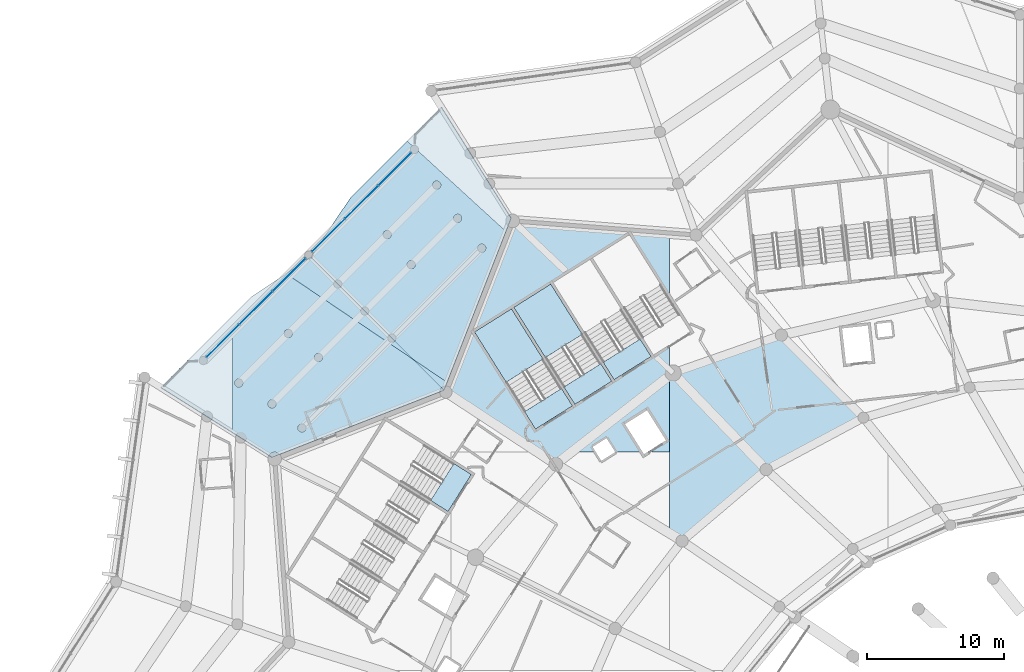
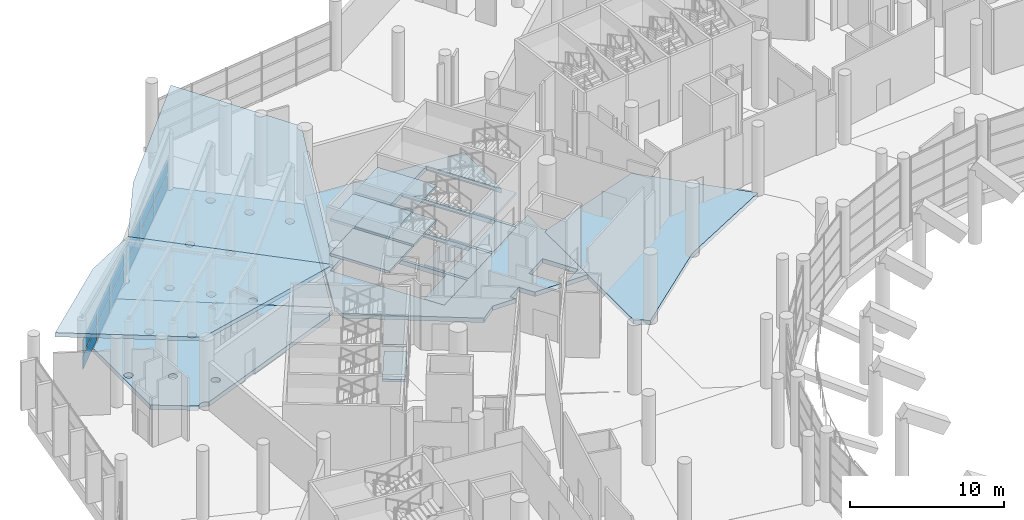
# One storey, part 142 of 271: 18 slabs, 12 plates, 6 elements without a shape of their own.
"""IFC4 building model written with IfcOpenShell, lengths in metres."""

from ifc_helpers import new_model, si_unit, direction, frame, origin, origin_2d, place, context, subcontext, project, spatial, polyline, rectangle, outline, extrude, material, layer, layer_set, type_object, element, aggregate, save


model = new_model("IFC4")

# Units and contexts
model_context = context("Model", 3, precision=1e-05, world=origin(), true_north=direction((0.0, 1.0)))
body_context = subcontext(model_context, "Body", "Model", "MODEL_VIEW")
ifc_project = project(units=[si_unit("LENGTHUNIT", "METRE"), si_unit("AREAUNIT", "SQUARE_METRE"), si_unit("VOLUMEUNIT", "CUBIC_METRE"), si_unit("PLANEANGLEUNIT", "RADIAN"), si_unit("MASSUNIT", "GRAM", prefix="KILO")], contexts=[model_context])

# Site, building, storey
site_placement = place(None, origin())
site = spatial("IfcSite", under=ifc_project, at=site_placement, CompositionType="ELEMENT")
building_placement = place(site_placement, origin())
building = spatial("IfcBuilding", under=site, at=building_placement, Name="Meseta Stadium", CompositionType="ELEMENT")
storey_placement = place(building_placement, frame((0.0, 0.0, 6.5)))
storey = spatial("IfcBuildingStorey", under=building, at=storey_placement, Name="L01", CompositionType="ELEMENT", Elevation=6.5)

# Slabs
ifc_material_1 = material(Name="Concrete C40/50", Category="concrete")
ifc_layer_1 = layer(ifc_material_1, 0.35009765625)
ifc_layer_set_1 = layer_set([ifc_layer_1], Name="Floor slab 350")
slab_type_1 = type_object("IfcSlabType", Name="Floor slab 350", PredefinedType="FLOOR", material=ifc_layer_set_1)
slab_1_placement = place(storey_placement, frame((0.0, 0.0, -0.35009765625)))
element("IfcSlab", 1, at=slab_1_placement, inside=storey, type_object=slab_type_1, Name="Floor slab L01 sector 21 panel 07", PredefinedType="FLOOR", context=body_context, shape_type="SweptSolid", body=[
    extrude(outline(polyline([(-80.0, 84.126220703125), (-72.31201171875, 79.091064453125), (-71.144287109375, 80.0), (-69.397216796875, 80.0), (-69.62158203125, 80.357177734375), (-68.605712890625, 80.99560546875), (-67.97998046875, 80.0), (-65.972412109375, 80.0), (-67.245849609375, 82.027099609375), (-65.63720703125, 83.0380859375), (-64.25390625, 80.83642578125), (-65.585205078125, 80.0), (-64.0, 80.0), (-64.0, 85.5615234375), (-63.731201171875, 85.77099609375), (-64.0, 86.02587890625), (-64.0, 87.8203125), (-65.1689453125, 87.085693359375), (-69.63818359375, 94.1982421875), (-66.9287109375, 95.90087890625), (-64.0, 91.239990234375), (-64.0, 96.023193359375), (-75.474609375, 96.908447265625), (-75.825927734375, 96.00732421875), (-75.818115234375, 96.0), (-75.828857421875, 96.0), (-80.124267578125, 84.98388671875), (-80.0, 84.89990234375), (-80.0, 84.126220703125)]), holes=[polyline([(-65.33837890625, 86.9794921875), (-68.0478515625, 85.27685546875), (-72.516845703125, 92.389404296875), (-69.807373046875, 94.091796875), (-65.33837890625, 86.9794921875)]), polyline([(-71.09619140625, 83.361572265625), (-73.8056640625, 81.6591796875), (-78.274658203125, 88.771484375), (-75.565185546875, 90.47412109375), (-71.09619140625, 83.361572265625)]), polyline([(-68.21728515625, 85.17041015625), (-70.9267578125, 83.468017578125), (-75.395751953125, 90.58056640625), (-72.686279296875, 92.282958984375), (-68.21728515625, 85.17041015625)])]), origin(), (0.0, 0.0, 1.0), 0.35009765625),
])
slab_2_placement = place(storey_placement, frame((0.0, 0.0, -0.35009765625)))
element("IfcSlab", 2, at=slab_2_placement, inside=storey, type_object=slab_type_1, Name="Floor slab L01 sector 21 panel 10", PredefinedType="FLOOR", context=body_context, shape_type="SweptSolid", body=[
    extrude(outline(polyline([(-63.068115234375, 73.469970703125), (-56.9150390625, 78.69580078125), (-49.791015625, 82.498779296875), (-55.799560546875, 88.541748046875), (-63.731201171875, 85.77099609375), (-64.0, 85.5615234375), (-64.0, 74.098876953125), (-63.068115234375, 73.469970703125)])), origin(), (0.0, 0.0, 1.0), 0.35009765625),
])
slab_3_placement = place(storey_placement, frame((0.0, 0.0, -0.35009765625)))
element("IfcSlab", 3, at=slab_3_placement, inside=storey, type_object=slab_type_1, Name="Gate hall floor slab 4 panel 02", PredefinedType="FLOOR", context=body_context, shape_type="SweptSolid", body=[
    extrude(outline(polyline([(-92.778076171875, 79.961669921875), (-92.656494140625, 79.911376953125), (-92.552001953125, 79.831298828125), (-92.53759765625, 79.8125), (-80.81689453125, 84.382568359375), (-80.8037109375, 84.48291015625), (-80.758544921875, 84.59228515625), (-80.686279296875, 84.686279296875), (-80.59228515625, 84.758544921875), (-80.48291015625, 84.8037109375), (-80.382568359375, 84.81689453125), (-80.277099609375, 85.087158203125), (-91.8876953125, 92.9248046875), (-96.0, 88.8125), (-96.0, 81.4169921875), (-93.333740234375, 79.74169921875), (-93.26513671875, 79.831298828125), (-93.16064453125, 79.911376953125), (-93.0390625, 79.961669921875), (-92.908447265625, 79.97900390625), (-92.778076171875, 79.961669921875)]), holes=[polyline([(-91.059814453125, 82.00390625), (-90.98681640625, 82.033935546875), (-90.90869140625, 82.044189453125), (-90.830322265625, 82.033935546875), (-90.75732421875, 82.00390625), (-90.694580078125, 81.955810546875), (-90.646484375, 81.89306640625), (-90.6162109375, 81.820068359375), (-90.60595703125, 81.74169921875), (-90.6162109375, 81.663330078125), (-90.646484375, 81.590576171875), (-90.694580078125, 81.52783203125), (-90.75732421875, 81.479736328125), (-90.830322265625, 81.449462890625), (-90.90869140625, 81.439208984375), (-90.98681640625, 81.449462890625), (-91.059814453125, 81.479736328125), (-91.12255859375, 81.52783203125), (-91.170654296875, 81.590576171875), (-91.200927734375, 81.663330078125), (-91.211181640625, 81.74169921875), (-91.200927734375, 81.820068359375), (-91.170654296875, 81.89306640625), (-91.12255859375, 81.955810546875), (-91.059814453125, 82.00390625)]), polyline([(-93.251708984375, 83.77197265625), (-93.1787109375, 83.80224609375), (-93.100341796875, 83.8125), (-93.02197265625, 83.80224609375), (-92.948974609375, 83.77197265625), (-92.88623046875, 83.723876953125), (-92.838134765625, 83.6611328125), (-92.80810546875, 83.588134765625), (-92.797607421875, 83.510009765625), (-92.80810546875, 83.431640625), (-92.838134765625, 83.358642578125), (-92.88623046875, 83.2958984375), (-92.948974609375, 83.247802734375), (-93.02197265625, 83.217529296875), (-93.100341796875, 83.207275390625), (-93.1787109375, 83.217529296875), (-93.251708984375, 83.247802734375), (-93.314208984375, 83.2958984375), (-93.3623046875, 83.358642578125), (-93.392578125, 83.431640625), (-93.40283203125, 83.510009765625), (-93.392578125, 83.588134765625), (-93.3623046875, 83.6611328125), (-93.314208984375, 83.723876953125), (-93.251708984375, 83.77197265625)]), polyline([(-95.683349609375, 85.2998046875), (-95.6103515625, 85.330078125), (-95.531982421875, 85.340576171875), (-95.453857421875, 85.330078125), (-95.380859375, 85.2998046875), (-95.318115234375, 85.251708984375), (-95.27001953125, 85.189208984375), (-95.23974609375, 85.1162109375), (-95.2294921875, 85.037841796875), (-95.23974609375, 84.959716796875), (-95.27001953125, 84.88671875), (-95.318115234375, 84.823974609375), (-95.380859375, 84.77587890625), (-95.453857421875, 84.74560546875), (-95.531982421875, 84.7353515625), (-95.6103515625, 84.74560546875), (-95.683349609375, 84.77587890625), (-95.74609375, 84.823974609375), (-95.794189453125, 84.88671875), (-95.824462890625, 84.959716796875), (-95.834716796875, 85.037841796875), (-95.824462890625, 85.1162109375), (-95.794189453125, 85.189208984375), (-95.74609375, 85.251708984375), (-95.683349609375, 85.2998046875)]), polyline([(-89.551513671875, 86.6455078125), (-89.62451171875, 86.615234375), (-89.70263671875, 86.60498046875), (-89.781005859375, 86.615234375), (-89.85400390625, 86.6455078125), (-89.916748046875, 86.693603515625), (-89.964599609375, 86.756103515625), (-89.9951171875, 86.8291015625), (-90.00537109375, 86.907470703125), (-89.9951171875, 86.98583984375), (-89.964599609375, 87.058837890625), (-89.916748046875, 87.121337890625), (-89.85400390625, 87.16943359375), (-89.781005859375, 87.19970703125), (-89.70263671875, 87.210205078125), (-89.62451171875, 87.19970703125), (-89.551513671875, 87.16943359375), (-89.48876953125, 87.121337890625), (-89.440673828125, 87.058837890625), (-89.410400390625, 86.98583984375), (-89.400146484375, 86.907470703125), (-89.410400390625, 86.8291015625), (-89.440673828125, 86.756103515625), (-89.48876953125, 86.693603515625), (-89.551513671875, 86.6455078125)]), polyline([(-91.757080078125, 88.3994140625), (-91.830078125, 88.369140625), (-91.908447265625, 88.35888671875), (-91.98681640625, 88.369140625), (-92.059814453125, 88.3994140625), (-92.12255859375, 88.447509765625), (-92.170654296875, 88.510009765625), (-92.20068359375, 88.5830078125), (-92.211181640625, 88.661376953125), (-92.20068359375, 88.73974609375), (-92.170654296875, 88.812744140625), (-92.12255859375, 88.87548828125), (-92.059814453125, 88.923583984375), (-91.98681640625, 88.95361328125), (-91.908447265625, 88.964111328125), (-91.830078125, 88.95361328125), (-91.757080078125, 88.923583984375), (-91.694580078125, 88.87548828125), (-91.646484375, 88.812744140625), (-91.6162109375, 88.73974609375), (-91.60595703125, 88.661376953125), (-91.6162109375, 88.5830078125), (-91.646484375, 88.510009765625), (-91.694580078125, 88.447509765625), (-91.757080078125, 88.3994140625)])]), origin(), (0.0, 0.0, 1.0), 0.35009765625),
])
slab_4_placement = place(storey_placement, frame((0.0, 0.0, -0.35009765625)))
element("IfcSlab", 4, at=slab_4_placement, inside=storey, type_object=slab_type_1, Name="Gate hall floor slab 4 panel 03", PredefinedType="FLOOR", context=body_context, shape_type="SweptSolid", body=[
    extrude(outline(polyline([(-86.990966796875, 89.619384765625), (-80.277099609375, 85.087158203125), (-75.96826171875, 96.1376953125), (-82.397705078125, 102.023193359375), (-82.4130859375, 101.986328125), (-82.461181640625, 101.923583984375), (-82.523681640625, 101.87548828125), (-82.5966796875, 101.84521484375), (-82.675048828125, 101.8349609375), (-82.75341796875, 101.84521484375), (-82.826416015625, 101.87548828125), (-82.888916015625, 101.923583984375), (-82.93701171875, 101.986328125), (-82.96728515625, 102.059326171875), (-82.9775390625, 102.1376953125), (-82.96728515625, 102.2158203125), (-82.93701171875, 102.288818359375), (-82.888916015625, 102.3515625), (-82.826416015625, 102.399658203125), (-82.814208984375, 102.404541015625), (-83.19287109375, 102.751220703125), (-87.388671875, 98.555419921875), (-90.115478515625, 94.48779296875), (-90.114013671875, 94.484619140625), (-90.103759765625, 94.40625), (-90.114013671875, 94.327880859375), (-90.144287109375, 94.2548828125), (-90.1923828125, 94.1923828125), (-90.2548828125, 94.144287109375), (-90.327880859375, 94.114013671875), (-90.40625, 94.103759765625), (-90.484619140625, 94.114013671875), (-90.48779296875, 94.115478515625), (-92.0751953125, 93.051513671875), (-86.990966796875, 89.619384765625)]), holes=[polyline([(-86.51904296875, 90.091064453125), (-86.567138671875, 90.15380859375), (-86.597412109375, 90.226806640625), (-86.607666015625, 90.30517578125), (-86.597412109375, 90.38330078125), (-86.567138671875, 90.456298828125), (-86.51904296875, 90.51904296875), (-86.456298828125, 90.567138671875), (-86.38330078125, 90.597412109375), (-86.30517578125, 90.607666015625), (-86.226806640625, 90.597412109375), (-86.15380859375, 90.567138671875), (-86.09130859375, 90.51904296875), (-86.04296875, 90.456298828125), (-86.0126953125, 90.38330078125), (-86.00244140625, 90.30517578125), (-86.0126953125, 90.226806640625), (-86.04296875, 90.15380859375), (-86.091064453125, 90.091064453125), (-86.15380859375, 90.04296875), (-86.226806640625, 90.0126953125), (-86.30517578125, 90.00244140625), (-86.38330078125, 90.0126953125), (-86.456298828125, 90.04296875), (-86.51904296875, 90.091064453125)]), polyline([(-84.3994140625, 95.757080078125), (-84.447509765625, 95.694580078125), (-84.510009765625, 95.646484375), (-84.5830078125, 95.6162109375), (-84.661376953125, 95.60595703125), (-84.73974609375, 95.6162109375), (-84.812744140625, 95.646484375), (-84.875244140625, 95.694580078125), (-84.923583984375, 95.757080078125), (-84.95361328125, 95.830078125), (-84.964111328125, 95.908447265625), (-84.95361328125, 95.98681640625), (-84.923583984375, 96.059814453125), (-84.87548828125, 96.12255859375), (-84.812744140625, 96.170654296875), (-84.73974609375, 96.20068359375), (-84.661376953125, 96.211181640625), (-84.5830078125, 96.20068359375), (-84.510009765625, 96.170654296875), (-84.447509765625, 96.12255859375), (-84.3994140625, 96.059814453125), (-84.369140625, 95.98681640625), (-84.35888671875, 95.908447265625), (-84.369140625, 95.830078125), (-84.3994140625, 95.757080078125)]), polyline([(-84.539306640625, 88.111083984375), (-84.587158203125, 88.173828125), (-84.617431640625, 88.246826171875), (-84.627685546875, 88.3251953125), (-84.617431640625, 88.403564453125), (-84.587158203125, 88.4765625), (-84.539306640625, 88.539306640625), (-84.4765625, 88.587158203125), (-84.403564453125, 88.617431640625), (-84.3251953125, 88.627685546875), (-84.246826171875, 88.617431640625), (-84.173828125, 88.587158203125), (-84.111083984375, 88.539306640625), (-84.06298828125, 88.4765625), (-84.032958984375, 88.403564453125), (-84.022705078125, 88.3251953125), (-84.032958984375, 88.246826171875), (-84.06298828125, 88.173828125), (-84.111083984375, 88.111083984375), (-84.173828125, 88.06298828125), (-84.246826171875, 88.032958984375), (-84.3251953125, 88.022705078125), (-84.403564453125, 88.032958984375), (-84.4765625, 88.06298828125), (-84.539306640625, 88.111083984375)]), polyline([(-82.8291015625, 93.410400390625), (-82.907470703125, 93.400146484375), (-82.98583984375, 93.410400390625), (-83.058837890625, 93.440673828125), (-83.121337890625, 93.48876953125), (-83.16943359375, 93.551513671875), (-83.19970703125, 93.62451171875), (-83.210205078125, 93.70263671875), (-83.19970703125, 93.781005859375), (-83.16943359375, 93.85400390625), (-83.121337890625, 93.916748046875), (-83.058837890625, 93.964599609375), (-82.98583984375, 93.9951171875), (-82.907470703125, 94.00537109375), (-82.8291015625, 93.9951171875), (-82.756103515625, 93.964599609375), (-82.693603515625, 93.916748046875), (-82.6455078125, 93.85400390625), (-82.615234375, 93.781005859375), (-82.60498046875, 93.70263671875), (-82.615234375, 93.62451171875), (-82.6455078125, 93.551513671875), (-82.693603515625, 93.48876953125), (-82.756103515625, 93.440673828125), (-82.8291015625, 93.410400390625)]), polyline([(-88.071044921875, 92.071044921875), (-88.1337890625, 92.02294921875), (-88.206787109375, 91.99267578125), (-88.284912109375, 91.982421875), (-88.36328125, 91.99267578125), (-88.436279296875, 92.02294921875), (-88.498779296875, 92.071044921875), (-88.547119140625, 92.1337890625), (-88.577392578125, 92.206787109375), (-88.587646484375, 92.284912109375), (-88.577392578125, 92.36328125), (-88.547119140625, 92.436279296875), (-88.498779296875, 92.498779296875), (-88.436279296875, 92.547119140625), (-88.36328125, 92.577392578125), (-88.284912109375, 92.587646484375), (-88.206787109375, 92.577392578125), (-88.1337890625, 92.547119140625), (-88.071044921875, 92.498779296875), (-88.02294921875, 92.436279296875), (-87.99267578125, 92.36328125), (-87.982421875, 92.284912109375), (-87.99267578125, 92.206787109375), (-88.02294921875, 92.1337890625), (-88.071044921875, 92.071044921875)]), polyline([(-77.449462890625, 94.98681640625), (-77.439208984375, 94.90869140625), (-77.449462890625, 94.830322265625), (-77.479736328125, 94.75732421875), (-77.52783203125, 94.694580078125), (-77.590576171875, 94.646484375), (-77.663330078125, 94.6162109375), (-77.74169921875, 94.60595703125), (-77.820068359375, 94.6162109375), (-77.89306640625, 94.646484375), (-77.955810546875, 94.694580078125), (-78.00390625, 94.75732421875), (-78.033935546875, 94.830322265625), (-78.044189453125, 94.90869140625), (-78.033935546875, 94.98681640625), (-78.00390625, 95.059814453125), (-77.955810546875, 95.12255859375), (-77.89306640625, 95.170654296875), (-77.820068359375, 95.200927734375), (-77.74169921875, 95.211181640625), (-77.663330078125, 95.200927734375), (-77.590576171875, 95.170654296875), (-77.52783203125, 95.12255859375), (-77.479736328125, 95.059814453125), (-77.449462890625, 94.98681640625)]), polyline([(-79.217529296875, 97.02197265625), (-79.247802734375, 96.948974609375), (-79.2958984375, 96.88623046875), (-79.358642578125, 96.838134765625), (-79.431640625, 96.80810546875), (-79.510009765625, 96.797607421875), (-79.588134765625, 96.80810546875), (-79.6611328125, 96.838134765625), (-79.723876953125, 96.88623046875), (-79.77197265625, 96.948974609375), (-79.80224609375, 97.02197265625), (-79.8125, 97.100341796875), (-79.80224609375, 97.1787109375), (-79.77197265625, 97.251708984375), (-79.723876953125, 97.314208984375), (-79.6611328125, 97.3623046875), (-79.588134765625, 97.392578125), (-79.510009765625, 97.40283203125), (-79.431640625, 97.392578125), (-79.358642578125, 97.3623046875), (-79.2958984375, 97.314208984375), (-79.247802734375, 97.251708984375), (-79.217529296875, 97.1787109375), (-79.207275390625, 97.100341796875), (-79.217529296875, 97.02197265625)]), polyline([(-80.823974609375, 99.318115234375), (-80.88671875, 99.27001953125), (-80.959716796875, 99.23974609375), (-81.037841796875, 99.2294921875), (-81.1162109375, 99.23974609375), (-81.189208984375, 99.27001953125), (-81.251708984375, 99.318115234375), (-81.2998046875, 99.380859375), (-81.330078125, 99.453857421875), (-81.340576171875, 99.531982421875), (-81.330078125, 99.6103515625), (-81.2998046875, 99.683349609375), (-81.251708984375, 99.74609375), (-81.189208984375, 99.794189453125), (-81.1162109375, 99.824462890625), (-81.037841796875, 99.834716796875), (-80.959716796875, 99.824462890625), (-80.88671875, 99.794189453125), (-80.823974609375, 99.74609375), (-80.77587890625, 99.683349609375), (-80.74560546875, 99.6103515625), (-80.7353515625, 99.531982421875), (-80.74560546875, 99.453857421875), (-80.77587890625, 99.380859375), (-80.823974609375, 99.318115234375)])]), origin(), (0.0, 0.0, 1.0), 0.35009765625),
])
ifc_material_2 = material(Name="Concrete C40/50", Category="concrete")
ifc_layer_2 = layer(ifc_material_2, 0.300048828125)
ifc_layer_set_2 = layer_set([ifc_layer_2], Name="Gate roof plate 300")
slab_type_2 = type_object("IfcSlabType", Name="Gate roof plate 300", PredefinedType="ROOF", material=ifc_layer_set_2)
slab_5_placement = place(storey_placement, frame((-90.264892578125, 94.264892578125, 3.566650390625), z_axis=(-0.112014601523, -0.084011403978, 0.990148884283), x_axis=(0.706965977464, -0.706964873227, 0.019994367521)))
element("IfcSlab", 5, at=slab_5_placement, inside=storey, type_object=slab_type_2, Name="Gate 4 butterfly roof wing", PredefinedType="ROOF", context=body_context, shape_type="SweptSolid", body=[
    extrude(outline(polyline([(0.0, 0.0), (13.80619021225872, -4.85722573273506e-16), (8.406808673697423, 12.498289852891762), (-0.9596217543782735, 14.657736453560622), (-0.9860767596944223, 5.117056639832668), (0.0, 0.0)])), origin(), (0.0, 0.0, -1.0), 0.300048828125),
])
slab_6_placement = place(storey_placement, frame((-101.236572265625, 84.70751953125, 5.578857421875), z_axis=(0.084011403978, 0.112014601523, 0.990148884283), x_axis=(0.846657460983, -0.532010719149, -0.011650685526)))
element("IfcSlab", 6, at=slab_6_placement, inside=storey, type_object=slab_type_2, Name="Gate 4 butterfly roof wing", PredefinedType="ROOF", context=body_context, shape_type="SweptSolid", body=[
    extrude(outline(polyline([(0.0, 0.0), (9.612139646567902, -9.228728892196614e-16), (17.68134420710154, 10.965788070454256), (4.2280731504254305, 14.06746278787214), (4.2280731504254305, 14.06746278787214), (2.117613806445749, 9.302740614578731), (0.0, 0.0)])), origin(), (0.0, 0.0, -1.0), 0.300048828125),
])

# Curtain wall, plates
ifc_material_3 = material(Name="Aluminium", Category="aluminium")
ifc_layer_3 = layer(ifc_material_3, 0.199951171875)
ifc_layer_set_3 = layer_set([ifc_layer_3], Name="Gate hall curtain wall")
curtain_wall_type = type_object("IfcCurtainWallType", Name="Gate hall curtain wall", PredefinedType="NOTDEFINED", material=ifc_layer_set_3)
curtain_wall_1_placement = place(storey_placement, origin())
curtain_wall_1 = element("IfcCurtainWall", 7, at=curtain_wall_1_placement, inside=storey, type_object=curtain_wall_type, Name="Gate 4 hall glazing", PredefinedType="NOTDEFINED")
ifc_material_4 = material(Name="Glass", Category="glass")
ifc_layer_4 = layer(ifc_material_4, 0.035888671875)
ifc_layer_set_4 = layer_set([ifc_layer_4], Name="Ring CW glass panel 36")
plate_type = type_object("IfcPlateType", Name="Ring CW glass panel 36", PredefinedType="CURTAIN_PANEL", material=ifc_layer_set_4)
plate_1_placement = place(storey_placement, frame((-88.9658203125, 95.846923828125, 0.14990234375), z_axis=(0.0, 0.0, 1.0), x_axis=(0.707101942648, 0.707111619692, 0.0)))
plate_1 = element("IfcPlate", 8, at=plate_1_placement, type_object=plate_type, Name="CWG1 panel 1.1", PredefinedType="CURTAIN_PANEL", context=body_context, shape_type="SweptSolid", body=[
    extrude(rectangle(XDim=3.3544921875, YDim=0.035888671875, at=origin_2d()), origin(), (0.0, 0.0, 1.0), 1.08740234375),
])
plate_2_placement = place(storey_placement, frame((-88.9658203125, 95.846923828125, 1.38720703125), z_axis=(0.0, 0.0, 1.0), x_axis=(0.707101942648, 0.707111619692, 0.0)))
plate_2 = element("IfcPlate", 9, at=plate_2_placement, type_object=plate_type, Name="CWG1 panel 1.2", PredefinedType="CURTAIN_PANEL", context=body_context, shape_type="SweptSolid", body=[
    extrude(rectangle(XDim=3.3544921875, YDim=0.035888671875, at=origin_2d()), origin(), (0.0, 0.0, 1.0), 1.08740234375),
])
plate_3_placement = place(storey_placement, frame((-86.540771484375, 98.27197265625, 0.14990234375), z_axis=(0.0, 0.0, 1.0), x_axis=(0.707101942648, 0.707111619692, 0.0)))
plate_3 = element("IfcPlate", 10, at=plate_3_placement, type_object=plate_type, Name="CWG1 panel 2.1", PredefinedType="CURTAIN_PANEL", context=body_context, shape_type="SweptSolid", body=[
    extrude(rectangle(XDim=3.384521484375, YDim=0.035888671875, at=origin_2d()), origin(), (0.0, 0.0, 1.0), 1.08740234375),
])
plate_4_placement = place(storey_placement, frame((-86.540771484375, 98.27197265625, 1.38720703125), z_axis=(0.0, 0.0, 1.0), x_axis=(0.707101942648, 0.707111619692, 0.0)))
plate_4 = element("IfcPlate", 11, at=plate_4_placement, type_object=plate_type, Name="CWG1 panel 2.2", PredefinedType="CURTAIN_PANEL", context=body_context, shape_type="SweptSolid", body=[
    extrude(rectangle(XDim=3.384521484375, YDim=0.035888671875, at=origin_2d()), origin(), (0.0, 0.0, 1.0), 1.08740234375),
])
plate_5_placement = place(storey_placement, frame((-84.11572265625, 100.697021484375, 0.14990234375), z_axis=(0.0, 0.0, 1.0), x_axis=(0.707101942648, 0.707111619692, 0.0)))
plate_5 = element("IfcPlate", 12, at=plate_5_placement, type_object=plate_type, Name="CWG1 panel 3.1", PredefinedType="CURTAIN_PANEL", context=body_context, shape_type="SweptSolid", body=[
    extrude(rectangle(XDim=3.3544921875, YDim=0.035888671875, at=origin_2d()), origin(), (0.0, 0.0, 1.0), 1.08740234375),
])
plate_6_placement = place(storey_placement, frame((-84.11572265625, 100.697021484375, 1.38720703125), z_axis=(0.0, 0.0, 1.0), x_axis=(0.707101942648, 0.707111619692, 0.0)))
plate_6 = element("IfcPlate", 13, at=plate_6_placement, type_object=plate_type, Name="CWG1 panel 3.2", PredefinedType="CURTAIN_PANEL", context=body_context, shape_type="SweptSolid", body=[
    extrude(rectangle(XDim=3.3544921875, YDim=0.035888671875, at=origin_2d()), origin(), (0.0, 0.0, 1.0), 1.08740234375),
])
aggregate(curtain_wall_1, [plate_1, plate_2, plate_3, plate_4, plate_5, plate_6])

curtain_wall_2_placement = place(storey_placement, origin())
curtain_wall_2 = element("IfcCurtainWall", 14, at=curtain_wall_2_placement, inside=storey, type_object=curtain_wall_type, Name="Gate 4 hall glazing", PredefinedType="NOTDEFINED")
plate_7_placement = place(storey_placement, frame((-96.697021484375, 88.11572265625, 0.14990234375), z_axis=(0.0, 0.0, 1.0), x_axis=(0.707111619692, 0.707101942648, 0.0)))
plate_7 = element("IfcPlate", 15, at=plate_7_placement, type_object=plate_type, Name="CWG1 panel 1.1", PredefinedType="CURTAIN_PANEL", context=body_context, shape_type="SweptSolid", body=[
    extrude(rectangle(XDim=3.3544921875, YDim=0.035888671875, at=origin_2d()), origin(), (0.0, 0.0, 1.0), 1.08740234375),
])
plate_8_placement = place(storey_placement, frame((-96.697021484375, 88.11572265625, 1.38720703125), z_axis=(0.0, 0.0, 1.0), x_axis=(0.707111619692, 0.707101942648, 0.0)))
plate_8 = element("IfcPlate", 16, at=plate_8_placement, type_object=plate_type, Name="CWG1 panel 1.2", PredefinedType="CURTAIN_PANEL", context=body_context, shape_type="SweptSolid", body=[
    extrude(rectangle(XDim=3.3544921875, YDim=0.035888671875, at=origin_2d()), origin(), (0.0, 0.0, 1.0), 1.08740234375),
])
plate_9_placement = place(storey_placement, frame((-94.27197265625, 90.540771484375, 0.14990234375), z_axis=(0.0, 0.0, 1.0), x_axis=(0.707111619692, 0.707101942648, 0.0)))
plate_9 = element("IfcPlate", 17, at=plate_9_placement, type_object=plate_type, Name="CWG1 panel 2.1", PredefinedType="CURTAIN_PANEL", context=body_context, shape_type="SweptSolid", body=[
    extrude(rectangle(XDim=3.384521484375, YDim=0.035888671875, at=origin_2d()), origin(), (0.0, 0.0, 1.0), 1.08740234375),
])
plate_10_placement = place(storey_placement, frame((-94.27197265625, 90.540771484375, 1.38720703125), z_axis=(0.0, 0.0, 1.0), x_axis=(0.707111619692, 0.707101942648, 0.0)))
plate_10 = element("IfcPlate", 18, at=plate_10_placement, type_object=plate_type, Name="CWG1 panel 2.2", PredefinedType="CURTAIN_PANEL", context=body_context, shape_type="SweptSolid", body=[
    extrude(rectangle(XDim=3.384521484375, YDim=0.035888671875, at=origin_2d()), origin(), (0.0, 0.0, 1.0), 1.08740234375),
])
plate_11_placement = place(storey_placement, frame((-91.846923828125, 92.9658203125, 0.14990234375), z_axis=(0.0, 0.0, 1.0), x_axis=(0.707111619692, 0.707101942648, 0.0)))
plate_11 = element("IfcPlate", 19, at=plate_11_placement, type_object=plate_type, Name="CWG1 panel 3.1", PredefinedType="CURTAIN_PANEL", context=body_context, shape_type="SweptSolid", body=[
    extrude(rectangle(XDim=3.3544921875, YDim=0.035888671875, at=origin_2d()), origin(), (0.0, 0.0, 1.0), 1.08740234375),
])
plate_12_placement = place(storey_placement, frame((-91.846923828125, 92.9658203125, 1.38720703125), z_axis=(0.0, 0.0, 1.0), x_axis=(0.707111619692, 0.707101942648, 0.0)))
plate_12 = element("IfcPlate", 20, at=plate_12_placement, type_object=plate_type, Name="CWG1 panel 3.2", PredefinedType="CURTAIN_PANEL", context=body_context, shape_type="SweptSolid", body=[
    extrude(rectangle(XDim=3.3544921875, YDim=0.035888671875, at=origin_2d()), origin(), (0.0, 0.0, 1.0), 1.08740234375),
])
aggregate(curtain_wall_2, [plate_7, plate_8, plate_9, plate_10, plate_11, plate_12])

# Stair, slabs
ifc_material_5 = material(Name="Concrete C40/50", Category="concrete")
stair_type = type_object("IfcStairType", Name="Exit stair 4 flights 153 mm risers", PredefinedType="HALF_TURN_STAIR", material=ifc_material_5)
stair_1_placement = place(storey_placement, origin())
stair_1 = element("IfcStair", 21, at=stair_1_placement, inside=storey, type_object=stair_type, Name="ST50 L01", PredefinedType="HALF_TURN_STAIR")
ifc_material_6 = material(Name="Concrete C40/50", Category="concrete")
ifc_layer_5 = layer(ifc_material_6, 0.199951171875)
ifc_layer_set_5 = layer_set([ifc_layer_5], Name="Stair landing 200")
slab_type_3 = type_object("IfcSlabType", Name="Stair landing 200", PredefinedType="LANDING", material=ifc_layer_set_5)
slab_7_placement = place(storey_placement, frame((0.0, 0.0, 2.550048828125)))
slab_7 = element("IfcSlab", 22, at=slab_7_placement, type_object=slab_type_3, Name="ST50 L01 landing 2", PredefinedType="LANDING", context=body_context, shape_type="SweptSolid", body=[
    extrude(outline(polyline([(-65.33837890625, 86.9794921875), (-66.1416015625, 88.258056640625), (-68.851318359375, 86.555419921875), (-68.0478515625, 85.27685546875), (-65.33837890625, 86.9794921875)])), origin(), (0.0, 0.0, 1.0), 0.199951171875),
])
slab_8_placement = place(storey_placement, frame((0.0, 0.0, -0.199951171875)))
slab_8 = element("IfcSlab", 23, at=slab_8_placement, type_object=slab_type_3, Name="ST50 L01 landing 4", PredefinedType="LANDING", context=body_context, shape_type="SweptSolid", body=[
    extrude(outline(polyline([(-65.33837890625, 86.9794921875), (-66.1416015625, 88.258056640625), (-68.851318359375, 86.555419921875), (-68.0478515625, 85.27685546875), (-65.33837890625, 86.9794921875)])), origin(), (0.0, 0.0, 1.0), 0.199951171875),
])
aggregate(stair_1, [slab_7, slab_8])

stair_2_placement = place(storey_placement, origin())
stair_2 = element("IfcStair", 24, at=stair_2_placement, inside=storey, type_object=stair_type, Name="ST51 L01", PredefinedType="HALF_TURN_STAIR")
slab_9_placement = place(storey_placement, frame((0.0, 0.0, 1.175048828125)))
slab_9 = element("IfcSlab", 25, at=slab_9_placement, type_object=slab_type_3, Name="ST51 L01 landing 1", PredefinedType="LANDING", context=body_context, shape_type="SweptSolid", body=[
    extrude(outline(polyline([(-70.371826171875, 88.599853515625), (-72.686279296875, 92.282958984375), (-75.395751953125, 90.58056640625), (-73.08154296875, 86.897216796875), (-70.371826171875, 88.599853515625)])), origin(), (0.0, 0.0, 1.0), 0.199951171875),
])
slab_10_placement = place(storey_placement, frame((0.0, 0.0, 2.550048828125)))
slab_10 = element("IfcSlab", 26, at=slab_10_placement, type_object=slab_type_3, Name="ST51 L01 landing 2", PredefinedType="LANDING", context=body_context, shape_type="SweptSolid", body=[
    extrude(outline(polyline([(-68.21728515625, 85.17041015625), (-69.0205078125, 86.448974609375), (-71.72998046875, 84.74658203125), (-70.9267578125, 83.468017578125), (-68.21728515625, 85.17041015625)])), origin(), (0.0, 0.0, 1.0), 0.199951171875),
])
slab_11_placement = place(storey_placement, frame((0.0, 0.0, 3.925048828125)))
slab_11 = element("IfcSlab", 27, at=slab_11_placement, type_object=slab_type_3, Name="ST51 L01 landing 3", PredefinedType="LANDING", context=body_context, shape_type="SweptSolid", body=[
    extrude(outline(polyline([(-70.371826171875, 88.599853515625), (-72.686279296875, 92.282958984375), (-75.395751953125, 90.58056640625), (-73.08154296875, 86.897216796875), (-70.371826171875, 88.599853515625)])), origin(), (0.0, 0.0, 1.0), 0.199951171875),
])
slab_12_placement = place(storey_placement, frame((0.0, 0.0, -0.199951171875)))
slab_12 = element("IfcSlab", 28, at=slab_12_placement, type_object=slab_type_3, Name="ST51 L01 landing 4", PredefinedType="LANDING", context=body_context, shape_type="SweptSolid", body=[
    extrude(outline(polyline([(-68.21728515625, 85.17041015625), (-69.0205078125, 86.448974609375), (-71.72998046875, 84.74658203125), (-70.9267578125, 83.468017578125), (-68.21728515625, 85.17041015625)])), origin(), (0.0, 0.0, 1.0), 0.199951171875),
])
aggregate(stair_2, [slab_9, slab_10, slab_11, slab_12])

stair_3_placement = place(storey_placement, origin())
stair_3 = element("IfcStair", 29, at=stair_3_placement, inside=storey, type_object=stair_type, Name="ST52 L01", PredefinedType="HALF_TURN_STAIR")
slab_13_placement = place(storey_placement, frame((0.0, 0.0, 1.175048828125)))
slab_13 = element("IfcSlab", 30, at=slab_13_placement, type_object=slab_type_3, Name="ST52 L01 landing 1", PredefinedType="LANDING", context=body_context, shape_type="SweptSolid", body=[
    extrude(outline(polyline([(-73.250732421875, 86.790771484375), (-75.565185546875, 90.47412109375), (-78.274658203125, 88.771484375), (-75.960205078125, 85.08837890625), (-73.250732421875, 86.790771484375)])), origin(), (0.0, 0.0, 1.0), 0.199951171875),
])
slab_14_placement = place(storey_placement, frame((0.0, 0.0, 2.550048828125)))
slab_14 = element("IfcSlab", 31, at=slab_14_placement, type_object=slab_type_3, Name="ST52 L01 landing 2", PredefinedType="LANDING", context=body_context, shape_type="SweptSolid", body=[
    extrude(outline(polyline([(-71.095947265625, 83.361572265625), (-71.8994140625, 84.64013671875), (-74.60888671875, 82.937744140625), (-73.8056640625, 81.6591796875), (-71.095947265625, 83.361572265625)])), origin(), (0.0, 0.0, 1.0), 0.199951171875),
])
slab_15_placement = place(storey_placement, frame((0.0, 0.0, 3.925048828125)))
slab_15 = element("IfcSlab", 32, at=slab_15_placement, type_object=slab_type_3, Name="ST52 L01 landing 3", PredefinedType="LANDING", context=body_context, shape_type="SweptSolid", body=[
    extrude(outline(polyline([(-73.250732421875, 86.790771484375), (-75.565185546875, 90.47412109375), (-78.274658203125, 88.771484375), (-75.960205078125, 85.08837890625), (-73.250732421875, 86.790771484375)])), origin(), (0.0, 0.0, 1.0), 0.199951171875),
])
slab_16_placement = place(storey_placement, frame((0.0, 0.0, -0.199951171875)))
slab_16 = element("IfcSlab", 33, at=slab_16_placement, type_object=slab_type_3, Name="ST52 L01 landing 4", PredefinedType="LANDING", context=body_context, shape_type="SweptSolid", body=[
    extrude(outline(polyline([(-71.095947265625, 83.361572265625), (-71.8994140625, 84.64013671875), (-74.60888671875, 82.937744140625), (-73.8056640625, 81.6591796875), (-71.095947265625, 83.361572265625)])), origin(), (0.0, 0.0, 1.0), 0.199951171875),
])
aggregate(stair_3, [slab_13, slab_14, slab_15, slab_16])

stair_4_placement = place(storey_placement, origin())
stair_4 = element("IfcStair", 34, at=stair_4_placement, inside=storey, type_object=stair_type, Name="ST53 L01", PredefinedType="HALF_TURN_STAIR")
slab_17_placement = place(storey_placement, frame((0.0, 0.0, 2.550048828125)))
slab_17 = element("IfcSlab", 35, at=slab_17_placement, type_object=slab_type_3, Name="ST53 L01 landing 2", PredefinedType="LANDING", context=body_context, shape_type="SweptSolid", body=[
    extrude(outline(polyline([(-78.505859375, 78.337646484375), (-79.784423828125, 79.140869140625), (-81.48681640625, 76.431396484375), (-80.208251953125, 75.628173828125), (-78.505859375, 78.337646484375)])), origin(), (0.0, 0.0, 1.0), 0.199951171875),
])
slab_18_placement = place(storey_placement, frame((0.0, 0.0, -0.199951171875)))
slab_18 = element("IfcSlab", 36, at=slab_18_placement, type_object=slab_type_3, Name="ST53 L01 landing 4", PredefinedType="LANDING", context=body_context, shape_type="SweptSolid", body=[
    extrude(outline(polyline([(-78.505859375, 78.337646484375), (-79.784423828125, 79.140869140625), (-81.48681640625, 76.431396484375), (-80.208251953125, 75.628173828125), (-78.505859375, 78.337646484375)])), origin(), (0.0, 0.0, 1.0), 0.199951171875),
])
aggregate(stair_4, [slab_17, slab_18])

save(model, "model.ifc")
